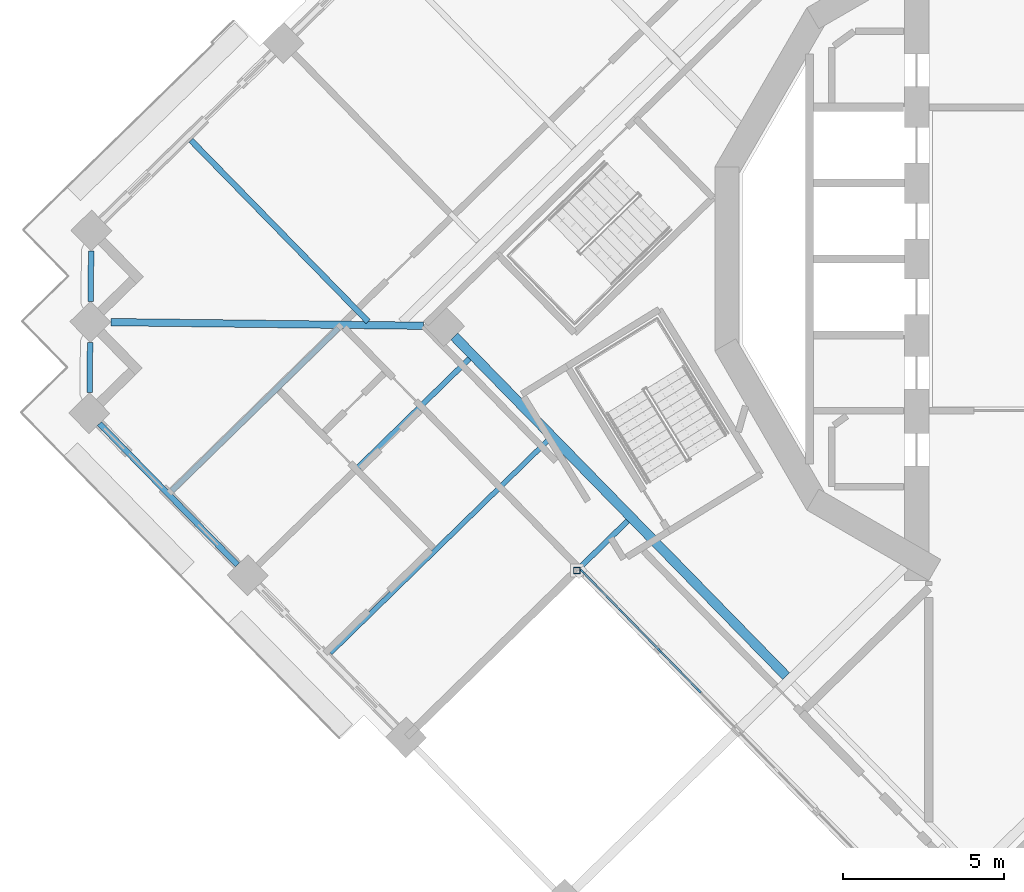
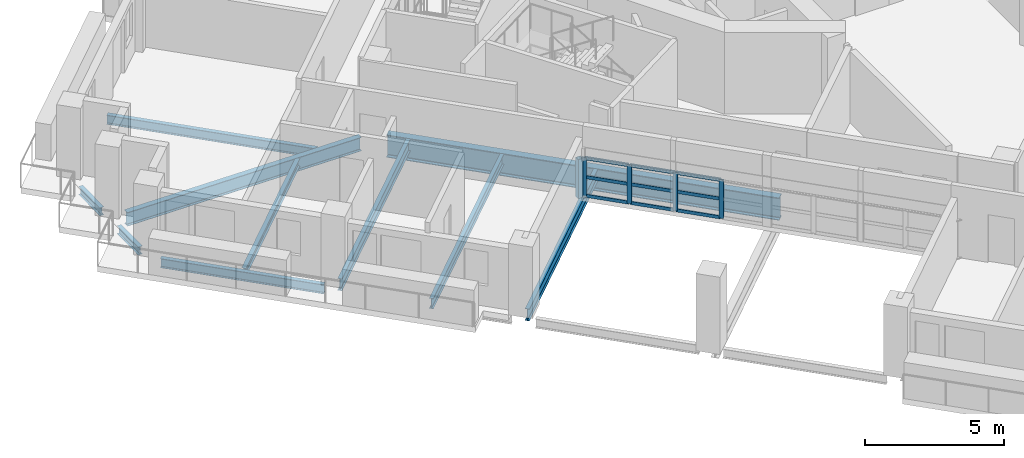
# One storey, part 3 of 19: 14 members, 10 beams, 1 element without a shape of its own.
"""IFC4 building model written with IfcOpenShell, lengths in metres."""

from ifc_helpers import new_model, si_unit, direction, frame, origin, origin_2d, place, context, subcontext, project, spatial, rectangle, hollow_rectangle, i_section, extrude, material, material_profile, profile_set, type_object, element, aggregate, save


model = new_model("IFC4")

# Units and contexts
model_context = context("Model", 3, precision=1e-05, world=origin(), true_north=direction((0.0, 1.0)))
body_context = subcontext(model_context, "Body", "Model", "MODEL_VIEW")
ifc_project = project(units=[si_unit("LENGTHUNIT", "METRE"), si_unit("AREAUNIT", "SQUARE_METRE"), si_unit("VOLUMEUNIT", "CUBIC_METRE"), si_unit("PLANEANGLEUNIT", "RADIAN"), si_unit("MASSUNIT", "GRAM", prefix="KILO")], contexts=[model_context])

# Site, building, storey
site_placement = place(None, origin())
site = spatial("IfcSite", under=ifc_project, at=site_placement, CompositionType="ELEMENT")
building_placement = place(site_placement, origin())
building = spatial("IfcBuilding", under=site, at=building_placement, Name="Cantera Rosa Tower", CompositionType="ELEMENT")
storey_placement = place(building_placement, frame((0.0, 0.0, 241.39990234375)))
storey = spatial("IfcBuildingStorey", under=building, at=storey_placement, Name="L53", CompositionType="ELEMENT", Elevation=241.39990234375)

# Curtain wall, members
ifc_material_1 = material(Name="Aluminium frame with clear glass", Category="aluminium")
curtain_wall_type = type_object("IfcCurtainWallType", Name="CW1 TERRACE POCKET GLAZING", PredefinedType="NOTDEFINED", material=ifc_material_1)
curtain_wall_placement = place(storey_placement, origin())
curtain_wall = element("IfcCurtainWall", 1, at=curtain_wall_placement, inside=storey, type_object=curtain_wall_type, Name="CW1 CW1", PredefinedType="NOTDEFINED")
ifc_material_2 = material(Name="Anodised bronze aluminium", Category="aluminium")
ifc_material_profile_1 = material_profile(ifc_material_2, rectangle(XDim=0.06005859375, YDim=0.179931640625, at=origin_2d()), Name="CW-MULLION 60x180 POCKET")
ifc_profile_set_1 = profile_set([ifc_material_profile_1], Name="Anodised bronze aluminium")
member_type_1 = type_object("IfcMemberType", Name="CW-MULLION 60x180 POCKET", PredefinedType="MULLION", material=ifc_profile_set_1)
member_1_placement = place(storey_placement, frame((-14.718994140625, -9.68994140625, 0.0), z_axis=(0.0, 0.0, 1.0), x_axis=(0.715286291058, 0.698831540376, 0.0)))
member_1 = element("IfcMember", 2, at=member_1_placement, type_object=member_type_1, Name="CW1 mullion 1", PredefinedType="MULLION", context=body_context, shape_type="SweptSolid", body=[
    extrude(rectangle(XDim=0.06005859375, YDim=0.179931640625, at=origin_2d()), origin(), (0.0, 0.0, 1.0), 1.7041015625),
])
member_2_placement = place(storey_placement, frame((-13.535400390625, -10.901611328125, 0.0), z_axis=(0.0, 0.0, 1.0), x_axis=(0.715286291058, 0.698831540376, 0.0)))
member_2 = element("IfcMember", 3, at=member_2_placement, type_object=member_type_1, Name="CW1 mullion 2", PredefinedType="MULLION", context=body_context, shape_type="SweptSolid", body=[
    extrude(rectangle(XDim=0.06005859375, YDim=0.179931640625, at=origin_2d()), origin(), (0.0, 0.0, 1.0), 1.7041015625),
])
member_3_placement = place(storey_placement, frame((-12.330810546875, -12.134521484375, 0.0), z_axis=(0.0, 0.0, 1.0), x_axis=(0.715286291058, 0.698831540376, 0.0)))
member_3 = element("IfcMember", 4, at=member_3_placement, type_object=member_type_1, Name="CW1 mullion 3", PredefinedType="MULLION", context=body_context, shape_type="SweptSolid", body=[
    extrude(rectangle(XDim=0.06005859375, YDim=0.179931640625, at=origin_2d()), origin(), (0.0, 0.0, 1.0), 1.7041015625),
])
member_4_placement = place(storey_placement, frame((-11.126220703125, -13.367431640625, 0.0), z_axis=(0.0, 0.0, 1.0), x_axis=(0.715286291058, 0.698831540376, 0.0)))
member_4 = element("IfcMember", 5, at=member_4_placement, type_object=member_type_1, Name="CW1 mullion 4", PredefinedType="MULLION", context=body_context, shape_type="SweptSolid", body=[
    extrude(rectangle(XDim=0.06005859375, YDim=0.179931640625, at=origin_2d()), origin(), (0.0, 0.0, 1.0), 1.7041015625),
])
ifc_material_3 = material(Name="Anodised bronze aluminium", Category="aluminium")
ifc_material_profile_2 = material_profile(ifc_material_3, rectangle(XDim=0.06005859375, YDim=0.139892578125, at=origin_2d()), Name="CW-TRANSOM 60x140 POCKET")
ifc_profile_set_2 = profile_set([ifc_material_profile_2], Name="Anodised bronze aluminium")
member_type_2 = type_object("IfcMemberType", Name="CW-TRANSOM 60x140 POCKET", PredefinedType="USERDEFINED", material=ifc_profile_set_2)
member_5_placement = place(storey_placement, frame((-14.697998046875, -9.71142578125, 0.030029296875), z_axis=(0.698764422619, -0.715351858656, 0.0), x_axis=(0.715351858656, 0.698764422619, 0.0)))
member_5 = element("IfcMember", 6, at=member_5_placement, type_object=member_type_2, Name="CW1 transom 1.1", ObjectType="TRANSOM", PredefinedType="USERDEFINED", context=body_context, shape_type="SweptSolid", body=[
    extrude(rectangle(XDim=0.06005859375, YDim=0.139892578125, at=origin_2d()), origin(), (0.0, 0.0, 1.0), 1.6337890625),
])
member_6_placement = place(storey_placement, frame((-14.697998046875, -9.71142578125, 0.85205078125), z_axis=(0.698764422619, -0.715351858656, 0.0), x_axis=(0.715351858656, 0.698764422619, 0.0)))
member_6 = element("IfcMember", 7, at=member_6_placement, type_object=member_type_2, Name="CW1 transom 1.2", ObjectType="TRANSOM", PredefinedType="USERDEFINED", context=body_context, shape_type="SweptSolid", body=[
    extrude(rectangle(XDim=0.06005859375, YDim=0.139892578125, at=origin_2d()), origin(), (0.0, 0.0, 1.0), 1.6337890625),
])
member_7_placement = place(storey_placement, frame((-14.697998046875, -9.71142578125, 1.674072265625), z_axis=(0.698764422619, -0.715351858656, 0.0), x_axis=(0.715351858656, 0.698764422619, 0.0)))
member_7 = element("IfcMember", 8, at=member_7_placement, type_object=member_type_2, Name="CW1 transom 1.3", ObjectType="TRANSOM", PredefinedType="USERDEFINED", context=body_context, shape_type="SweptSolid", body=[
    extrude(rectangle(XDim=0.06005859375, YDim=0.139892578125, at=origin_2d()), origin(), (0.0, 0.0, 1.0), 1.6337890625),
])
member_8_placement = place(storey_placement, frame((-13.514404296875, -10.923095703125, 0.030029296875), z_axis=(0.698840818716, -0.715277226044, 0.0), x_axis=(0.715277226044, 0.698840818716, 0.0)))
member_8 = element("IfcMember", 9, at=member_8_placement, type_object=member_type_2, Name="CW1 transom 2.1", ObjectType="TRANSOM", PredefinedType="USERDEFINED", context=body_context, shape_type="SweptSolid", body=[
    extrude(rectangle(XDim=0.06005859375, YDim=0.139892578125, at=origin_2d()), origin(), (0.0, 0.0, 1.0), 1.66357421875),
])
member_9_placement = place(storey_placement, frame((-13.514404296875, -10.923095703125, 0.85205078125), z_axis=(0.698840818716, -0.715277226044, 0.0), x_axis=(0.715277226044, 0.698840818716, 0.0)))
member_9 = element("IfcMember", 10, at=member_9_placement, type_object=member_type_2, Name="CW1 transom 2.2", ObjectType="TRANSOM", PredefinedType="USERDEFINED", context=body_context, shape_type="SweptSolid", body=[
    extrude(rectangle(XDim=0.06005859375, YDim=0.139892578125, at=origin_2d()), origin(), (0.0, 0.0, 1.0), 1.66357421875),
])
member_10_placement = place(storey_placement, frame((-13.514404296875, -10.923095703125, 1.674072265625), z_axis=(0.698840818716, -0.715277226044, 0.0), x_axis=(0.715277226044, 0.698840818716, 0.0)))
member_10 = element("IfcMember", 11, at=member_10_placement, type_object=member_type_2, Name="CW1 transom 2.3", ObjectType="TRANSOM", PredefinedType="USERDEFINED", context=body_context, shape_type="SweptSolid", body=[
    extrude(rectangle(XDim=0.06005859375, YDim=0.139892578125, at=origin_2d()), origin(), (0.0, 0.0, 1.0), 1.66357421875),
])
member_11_placement = place(storey_placement, frame((-12.309814453125, -12.156005859375, 0.030029296875), z_axis=(0.698840818716, -0.715277226044, 0.0), x_axis=(0.715277226044, 0.698840818716, 0.0)))
member_11 = element("IfcMember", 12, at=member_11_placement, type_object=member_type_2, Name="CW1 transom 3.1", ObjectType="TRANSOM", PredefinedType="USERDEFINED", context=body_context, shape_type="SweptSolid", body=[
    extrude(rectangle(XDim=0.06005859375, YDim=0.139892578125, at=origin_2d()), origin(), (0.0, 0.0, 1.0), 1.66357421875),
])
member_12_placement = place(storey_placement, frame((-12.309814453125, -12.156005859375, 0.85205078125), z_axis=(0.698840818716, -0.715277226044, 0.0), x_axis=(0.715277226044, 0.698840818716, 0.0)))
member_12 = element("IfcMember", 13, at=member_12_placement, type_object=member_type_2, Name="CW1 transom 3.2", ObjectType="TRANSOM", PredefinedType="USERDEFINED", context=body_context, shape_type="SweptSolid", body=[
    extrude(rectangle(XDim=0.06005859375, YDim=0.139892578125, at=origin_2d()), origin(), (0.0, 0.0, 1.0), 1.66357421875),
])
member_13_placement = place(storey_placement, frame((-12.309814453125, -12.156005859375, 1.674072265625), z_axis=(0.698840818716, -0.715277226044, 0.0), x_axis=(0.715277226044, 0.698840818716, 0.0)))
member_13 = element("IfcMember", 14, at=member_13_placement, type_object=member_type_2, Name="CW1 transom 3.3", ObjectType="TRANSOM", PredefinedType="USERDEFINED", context=body_context, shape_type="SweptSolid", body=[
    extrude(rectangle(XDim=0.06005859375, YDim=0.139892578125, at=origin_2d()), origin(), (0.0, 0.0, 1.0), 1.66357421875),
])
aggregate(curtain_wall, [member_1, member_2, member_3, member_4, member_5, member_6, member_7, member_8, member_9, member_10, member_11, member_12, member_13])

# Member
ifc_material_4 = material(Name="Steel ASTM A992 (Fy 345 MPa)", Category="steel")
ifc_material_profile_3 = material_profile(ifc_material_4, hollow_rectangle(XDim=0.199951171875, YDim=0.199951171875, WallThickness=0.010009765625, at=origin_2d()), Name="LINTEL POST RHS 200x200x10")
ifc_profile_set_3 = profile_set([ifc_material_profile_3], Name="Steel ASTM A992 (Fy 345 MPa)")
member_type_3 = type_object("IfcMemberType", Name="LINTEL POST RHS 200x200x10", PredefinedType="USERDEFINED", material=ifc_profile_set_3)
member_14_placement = place(storey_placement, frame((-14.89892578125, -9.64892578125, 0.0), z_axis=(0.0, 0.0, 1.0), x_axis=(1.0, 0.0, 0.0)))
element("IfcMember", 15, at=member_14_placement, inside=storey, type_object=member_type_3, Name="LINTEL POST L53-1", ObjectType="LINTEL POST", PredefinedType="USERDEFINED", context=body_context, shape_type="SweptSolid", body=[
    extrude(hollow_rectangle(XDim=0.199951171875, YDim=0.199951171875, WallThickness=0.010009765625, at=origin_2d()), origin(), (0.0, 0.0, 1.0), 1.7060546875),
])

# Beams
ifc_material_5 = material(Name="Steel ASTM A992 (Fy 345 MPa)", Category="steel")
ifc_material_profile_4 = material_profile(ifc_material_5, i_section(OverallWidth=0.300048828125, OverallDepth=0.990966796875, WebThickness=0.0166015625, FlangeThickness=0.030517578125, FilletRadius=0.030029296875, at=origin_2d()), Name="W1000X272")
ifc_profile_set_4 = profile_set([ifc_material_profile_4], Name="Steel ASTM A992 (Fy 345 MPa)")
beam_type_1 = type_object("IfcBeamType", Name="STEEL BEAM W1000X272", PredefinedType="BEAM", material=ifc_profile_set_4)
beam_1_placement = place(storey_placement, frame((-8.4169921875, -12.9208984375, -0.745361328125), z_axis=(-0.698826825527, 0.715290897415, 0.0), x_axis=(-0.715290897415, -0.698826825527, 0.0)))
element("IfcBeam", 16, at=beam_1_placement, inside=storey, type_object=beam_type_1, Name="RB-Z4-07 L53", PredefinedType="BEAM", context=body_context, shape_type="SweptSolid", body=[
    extrude(i_section(OverallWidth=0.300048828125, OverallDepth=0.990966796875, WebThickness=0.0166015625, FlangeThickness=0.030517578125, FilletRadius=0.030029296875, at=origin_2d()), origin(), (0.0, 0.0, 1.0), 14.7099609375),
])
ifc_material_6 = material(Name="Steel ASTM A992 (Fy 345 MPa)", Category="steel")
ifc_material_profile_5 = material_profile(ifc_material_6, i_section(OverallWidth=0.166015625, OverallDepth=0.528076171875, WebThickness=0.009765625, FlangeThickness=0.013671875, FilletRadius=0.0126953125, at=origin_2d()), Name="W530X74")
ifc_profile_set_5 = profile_set([ifc_material_profile_5], Name="Steel ASTM A992 (Fy 345 MPa)")
beam_type_2 = type_object("IfcBeamType", Name="STEEL BEAM W530X74", PredefinedType="BEAM", material=ifc_profile_set_5)
for number, where, z_axis, x_axis, name in (
    (17, (-24.77587890625, -9.484619140625, -0.513916015625), (0.71529025682, 0.698827481213, 0.0), (-0.698827481213, 0.71529025682, 0.0), "G-Z4-13 L53"),
    (18, (-19.8701171875, -14.505859375, -0.513916015625), (0.71529025682, 0.698827481213, 0.0), (-0.698827481213, 0.71529025682, 0.0), "G-Z4-14 L53"),
):
    element("IfcBeam", number, at=place(storey_placement, frame(where, z_axis=z_axis, x_axis=x_axis)), inside=storey, type_object=beam_type_2, Name=name, PredefinedType="BEAM", context=body_context, shape_type="SweptSolid", body=[
        extrude(i_section(OverallWidth=0.166015625, OverallDepth=0.528076171875, WebThickness=0.009765625, FlangeThickness=0.013671875, FilletRadius=0.0126953125, at=origin_2d()), origin(), (0.0, 0.0, 1.0), 9.14990234375),
    ])
ifc_material_7 = material(Name="Steel ASTM A992 (Fy 345 MPa)", Category="steel")
ifc_material_profile_6 = material_profile(ifc_material_7, i_section(OverallWidth=0.22802734375, OverallDepth=0.60205078125, WebThickness=0.010498046875, FlangeThickness=0.014892578125, FilletRadius=0.0126953125, at=origin_2d()), Name="W610X101")
ifc_profile_set_6 = profile_set([ifc_material_profile_6], Name="Steel ASTM A992 (Fy 345 MPa)")
beam_type_3 = type_object("IfcBeamType", Name="STEEL BEAM W610X101", PredefinedType="BEAM", material=ifc_profile_set_6)
beam_2_placement = place(storey_placement, frame((-29.334228515625, -1.95703125, -0.55078125), z_axis=(0.999932504919, -0.011618330597, 0.0), x_axis=(0.011618330597, 0.999932504919, 0.0)))
element("IfcBeam", 19, at=beam_2_placement, inside=storey, type_object=beam_type_3, Name="CB-Z4-02 L53", PredefinedType="BEAM", context=body_context, shape_type="SweptSolid", body=[
    extrude(i_section(OverallWidth=0.22802734375, OverallDepth=0.60205078125, WebThickness=0.010498046875, FlangeThickness=0.014892578125, FilletRadius=0.0126953125, at=origin_2d()), origin(), (0.0, 0.0, 1.0), 9.687255859375),
])
ifc_material_8 = material(Name="Steel ASTM A992 (Fy 345 MPa)", Category="steel")
ifc_material_profile_7 = material_profile(ifc_material_8, i_section(OverallWidth=0.1708984375, OverallDepth=0.35595703125, WebThickness=0.00732421875, FlangeThickness=0.01171875, FilletRadius=0.010009765625, at=origin_2d()), Name="W360X51")
ifc_profile_set_7 = profile_set([ifc_material_profile_7], Name="Steel ASTM A992 (Fy 345 MPa)")
beam_type_4 = type_object("IfcBeamType", Name="STEEL JOIST W360X51", PredefinedType="JOIST", material=ifc_profile_set_7)
beam_3_placement = place(storey_placement, frame((-27.443359375, -7.18359375, -0.427978515625), z_axis=(0.715287213552, 0.69883059616, 0.0), x_axis=(-0.69883059616, 0.715287213552, 0.0)))
element("IfcBeam", 20, at=beam_3_placement, inside=storey, type_object=beam_type_4, Name="B-Z4-16 L53", PredefinedType="JOIST", context=body_context, shape_type="SweptSolid", body=[
    extrude(i_section(OverallWidth=0.1708984375, OverallDepth=0.35595703125, WebThickness=0.00732421875, FlangeThickness=0.01171875, FilletRadius=0.010009765625, at=origin_2d()), origin(), (0.0, 0.0, 1.0), 7.2099609375),
])
ifc_material_9 = material(Name="Steel ASTM A992 (Fy 345 MPa)", Category="steel")
ifc_material_profile_8 = material_profile(ifc_material_9, i_section(OverallWidth=0.177978515625, OverallDepth=0.406005859375, WebThickness=0.0078125, FlangeThickness=0.0126953125, FilletRadius=0.01025390625, at=origin_2d()), Name="W410X60")
ifc_profile_set_8 = profile_set([ifc_material_profile_8], Name="Steel ASTM A992 (Fy 345 MPa)")
beam_type_5 = type_object("IfcBeamType", Name="STEEL JOIST W410X60", PredefinedType="JOIST", material=ifc_profile_set_8)
beam_4_placement = place(storey_placement, frame((-26.857421875, 3.678466796875, -0.452880859375), z_axis=(0.698843394481, -0.715274709458, 0.0), x_axis=(0.715274709458, 0.698843394481, 0.0)))
element("IfcBeam", 21, at=beam_4_placement, inside=storey, type_object=beam_type_5, Name="B-Z4-10 L53", PredefinedType="JOIST", context=body_context, shape_type="SweptSolid", body=[
    extrude(i_section(OverallWidth=0.177978515625, OverallDepth=0.406005859375, WebThickness=0.0078125, FlangeThickness=0.0126953125, FilletRadius=0.01025390625, at=origin_2d()), origin(), (0.0, 0.0, 1.0), 7.860107421875),
])
ifc_material_10 = material(Name="Steel ASTM A992 (Fy 345 MPa)", Category="steel")
ifc_material_profile_9 = material_profile(ifc_material_10, i_section(OverallWidth=0.154052734375, OverallDepth=0.4599609375, WebThickness=0.009033203125, FlangeThickness=0.015380859375, FilletRadius=0.01025390625, at=origin_2d()), Name="W460X68")
ifc_profile_set_9 = profile_set([ifc_material_profile_9], Name="Steel ASTM A992 (Fy 345 MPa)")
beam_type_6 = type_object("IfcBeamType", Name="STEEL JOIST W460X68", PredefinedType="JOIST", material=ifc_profile_set_9)
beam_5_placement = place(storey_placement, frame((-22.53759765625, -12.204833984375, -0.47998046875), z_axis=(0.715287278354, 0.698830529832, 0.0), x_axis=(-0.698830529832, 0.715287278354, 0.0)))
element("IfcBeam", 22, at=beam_5_placement, inside=storey, type_object=beam_type_6, Name="B-Z4-17 L53", PredefinedType="JOIST", context=body_context, shape_type="SweptSolid", body=[
    extrude(i_section(OverallWidth=0.154052734375, OverallDepth=0.4599609375, WebThickness=0.009033203125, FlangeThickness=0.015380859375, FilletRadius=0.01025390625, at=origin_2d()), origin(), (0.0, 0.0, 1.0), 9.4501953125),
])
ifc_material_11 = material(Name="Steel ASTM A992 (Fy 345 MPa)", Category="steel")
ifc_material_profile_10 = material_profile(ifc_material_11, i_section(OverallWidth=0.1708984375, OverallDepth=0.35595703125, WebThickness=0.00732421875, FlangeThickness=0.01171875, FilletRadius=0.010009765625, at=origin_2d()), Name="W360X51")
ifc_profile_set_10 = profile_set([ifc_material_profile_10], Name="Steel ASTM A992 (Fy 345 MPa)")
beam_type_7 = type_object("IfcBeamType", Name="STEEL SPANDREL BEAM W360X51", PredefinedType="SPANDREL", material=ifc_profile_set_10)
beam_6_placement = place(storey_placement, frame((-29.945068359375, 0.242431640625, -0.427978515625), z_axis=(-0.011769429589, -0.999930737865, 0.0), x_axis=(0.999930737865, -0.011769429589, 0.0)))
element("IfcBeam", 23, at=beam_6_placement, inside=storey, type_object=beam_type_7, Name="EB-Z4-13 L53", PredefinedType="SPANDREL", context=body_context, shape_type="SweptSolid", body=[
    extrude(i_section(OverallWidth=0.1708984375, OverallDepth=0.35595703125, WebThickness=0.00732421875, FlangeThickness=0.01171875, FilletRadius=0.010009765625, at=origin_2d()), origin(), (0.0, 0.0, 1.0), 1.5556640625),
])
beam_7_placement = place(storey_placement, frame((-29.97802734375, -2.5859375, -0.427978515625), z_axis=(-0.011614347636, -0.99993255119, 0.0), x_axis=(0.99993255119, -0.011614347636, 0.0)))
element("IfcBeam", 24, at=beam_7_placement, inside=storey, type_object=beam_type_7, Name="EB-Z4-14 L53", PredefinedType="SPANDREL", context=body_context, shape_type="SweptSolid", body=[
    extrude(i_section(OverallWidth=0.1708984375, OverallDepth=0.35595703125, WebThickness=0.00732421875, FlangeThickness=0.01171875, FilletRadius=0.010009765625, at=origin_2d()), origin(), (0.0, 0.0, 1.0), 1.555419921875),
])
ifc_material_12 = material(Name="Steel ASTM A992 (Fy 345 MPa)", Category="steel")
ifc_material_profile_11 = material_profile(ifc_material_12, i_section(OverallWidth=0.177978515625, OverallDepth=0.406005859375, WebThickness=0.0078125, FlangeThickness=0.0126953125, FilletRadius=0.01025390625, at=origin_2d()), Name="W410X60")
ifc_profile_set_11 = profile_set([ifc_material_profile_11], Name="Steel ASTM A992 (Fy 345 MPa)")
beam_type_8 = type_object("IfcBeamType", Name="STEEL SPANDREL BEAM W410X60", PredefinedType="SPANDREL", material=ifc_profile_set_11)
beam_8_placement = place(storey_placement, frame((-29.689208984375, -5.099609375, -0.452880859375), z_axis=(0.69882117953, -0.715296413412, 0.0), x_axis=(0.715296413412, 0.69882117953, 0.0)))
element("IfcBeam", 25, at=beam_8_placement, inside=storey, type_object=beam_type_8, Name="EB-Z4-15 L53", PredefinedType="SPANDREL", context=body_context, shape_type="SweptSolid", body=[
    extrude(i_section(OverallWidth=0.177978515625, OverallDepth=0.406005859375, WebThickness=0.0078125, FlangeThickness=0.0126953125, FilletRadius=0.01025390625, at=origin_2d()), origin(), (0.0, 0.0, 1.0), 6.1201171875),
])

save(model, "model.ifc")
